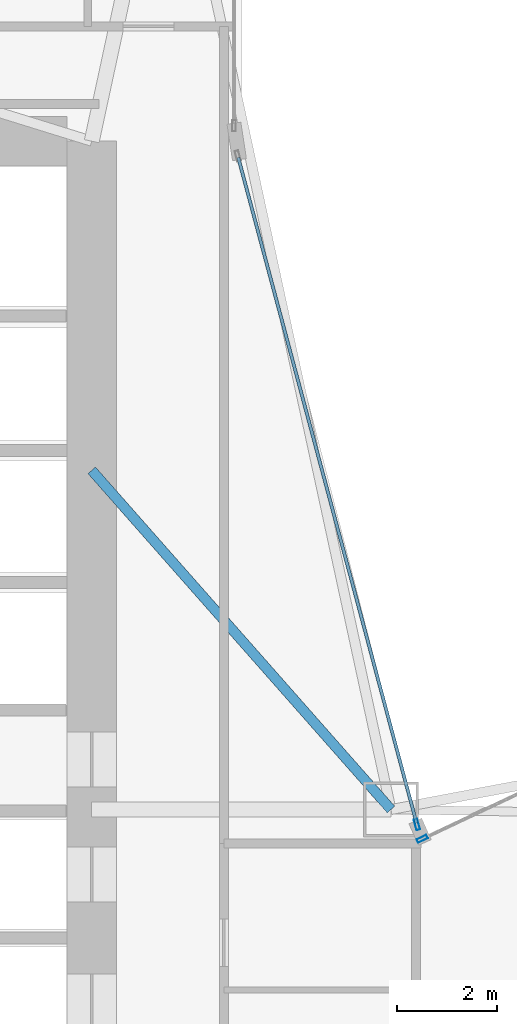
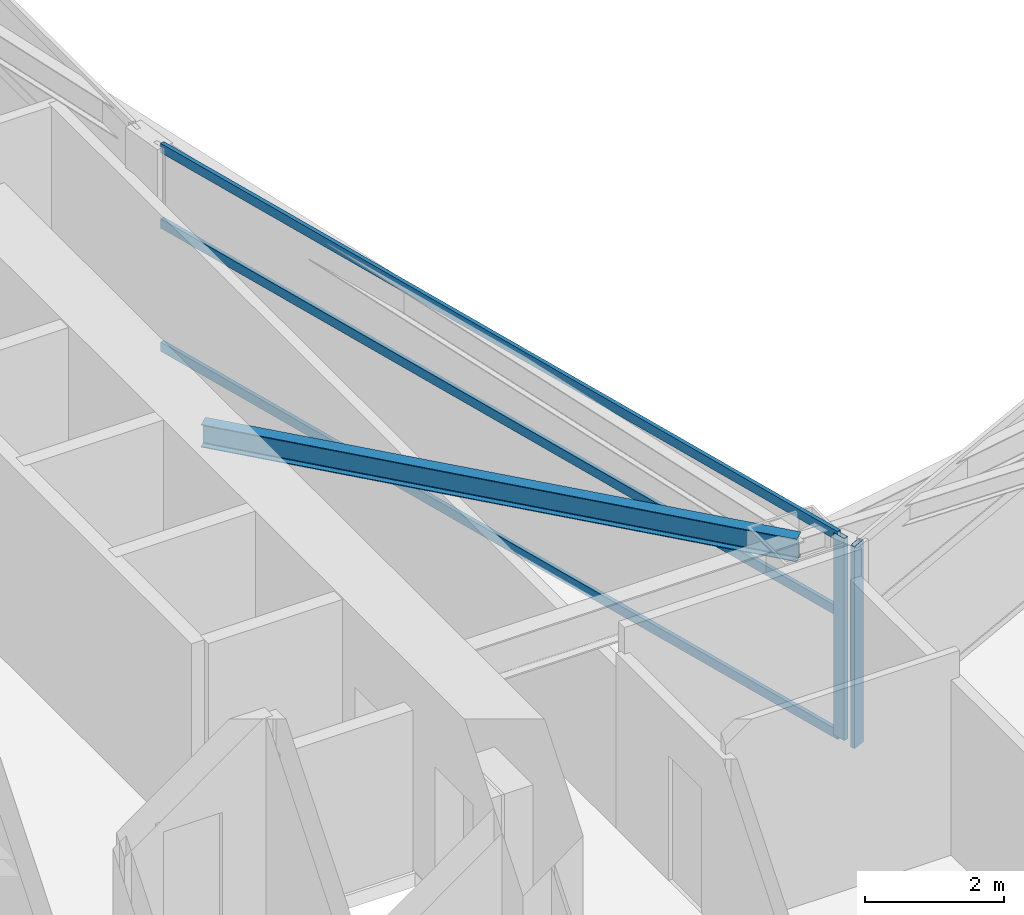
# One storey, part 10 of 29: 5 members, 1 beam, 2 elements without a shape of their own.
"""IFC4 building model written with IfcOpenShell, lengths in metres."""

from ifc_helpers import new_model, si_unit, direction, frame, origin, origin_2d, place, context, subcontext, project, spatial, hollow_rectangle, i_section, extrude, material, layer, layer_set, material_profile, profile_set, type_object, element, aggregate, save


model = new_model("IFC4")

# Units and contexts
model_context = context("Model", 3, precision=1e-05, world=origin(), true_north=direction((0.0, 1.0)))
body_context = subcontext(model_context, "Body", "Model", "MODEL_VIEW")
ifc_project = project(units=[si_unit("LENGTHUNIT", "METRE"), si_unit("AREAUNIT", "SQUARE_METRE"), si_unit("VOLUMEUNIT", "CUBIC_METRE"), si_unit("PLANEANGLEUNIT", "RADIAN"), si_unit("MASSUNIT", "GRAM", prefix="KILO")], contexts=[model_context])

# Site, building, storey
site_placement = place(None, origin())
site = spatial("IfcSite", under=ifc_project, at=site_placement, CompositionType="ELEMENT")
building_placement = place(site_placement, origin())
building = spatial("IfcBuilding", under=site, at=building_placement, Name="Calvorn Quay Hotel", CompositionType="ELEMENT")
storey_placement = place(building_placement, frame((0.0, 0.0, 34.60009765625)))
storey = spatial("IfcBuildingStorey", under=building, at=storey_placement, Name="L07", CompositionType="ELEMENT", Elevation=34.60009765625)

# Beam
ifc_material_1 = material(Name="Steel Q355B", Category="steel")
ifc_material_profile_1 = material_profile(ifc_material_1, i_section(OverallWidth=0.199951171875, OverallDepth=0.39990234375, WebThickness=0.008056640625, FlangeThickness=0.012939453125, FilletRadius=0.01611328125, at=origin_2d()), Name="HN400x200x8x13")
ifc_profile_set_1 = profile_set([ifc_material_profile_1], Name="Steel Q355B")
beam_type = type_object("IfcBeamType", Name="BM-JOIST-TYP", PredefinedType="JOIST", material=ifc_profile_set_1)
beam_placement = place(storey_placement, frame((15.0, 31.800048828125, 3.33984375), z_axis=(0.661618965899, -0.749840212287, 0.0), x_axis=(0.749840212287, 0.661618965899, 0.0)))
element("IfcBeam", 1, at=beam_placement, inside=storey, type_object=beam_type, Name="Beam BJ-L07-C1", PredefinedType="JOIST", context=body_context, shape_type="SweptSolid", body=[
    extrude(i_section(OverallWidth=0.199951171875, OverallDepth=0.39990234375, WebThickness=0.008056640625, FlangeThickness=0.012939453125, FilletRadius=0.01611328125, at=origin_2d()), origin(), (0.0, 0.0, 1.0), 9.068603515625),
])

# Curtain wall, member
ifc_material_2 = material(Name="Pale Anodised Aluminium and Low-E Glass", Category="aluminium")
ifc_layer = layer(ifc_material_2, 0.219970703125)
ifc_layer_set = layer_set([ifc_layer], Name="CW-SYS-Z1")
curtain_wall_type = type_object("IfcCurtainWallType", Name="CW-SYS-Z1", PredefinedType="NOTDEFINED", material=ifc_layer_set)
curtain_wall_1_placement = place(storey_placement, origin())
curtain_wall_1 = element("IfcCurtainWall", 2, at=curtain_wall_1_placement, inside=storey, type_object=curtain_wall_type, Name="Inner Court Curtain Wall L07-NE1", PredefinedType="NOTDEFINED")
ifc_material_3 = material(Name="Pale Anodised Aluminium 6063-T6", Category="aluminium")
ifc_material_profile_2 = material_profile(ifc_material_3, hollow_rectangle(XDim=0.074951171875, YDim=0.219970703125, WallThickness=0.00439453125, at=origin_2d()), Name="ALU-M220x75x4.5")
ifc_profile_set_2 = profile_set([ifc_material_profile_2], Name="Pale Anodised Aluminium 6063-T6")
member_type_1 = type_object("IfcMemberType", Name="CW-SYS-Z1-MUL", PredefinedType="MULLION", material=ifc_profile_set_2)
member_1_placement = place(storey_placement, frame((21.627197265625, 24.412841796875, 0.0), z_axis=(0.0, 0.0, 1.0), x_axis=(0.427006305415, -0.904248646743, 0.0)))
member_1 = element("IfcMember", 3, at=member_1_placement, type_object=member_type_1, Name="CW-L07-NE1 mullion 4", PredefinedType="MULLION", context=body_context, shape_type="SweptSolid", body=[
    extrude(hollow_rectangle(XDim=0.074951171875, YDim=0.219970703125, WallThickness=0.00439453125, at=origin_2d()), origin(), (0.0, 0.0, 1.0), 3.559814453125),
])
aggregate(curtain_wall_1, [member_1])

# Curtain wall, members
curtain_wall_2_placement = place(storey_placement, origin())
curtain_wall_2 = element("IfcCurtainWall", 4, at=curtain_wall_2_placement, inside=storey, type_object=curtain_wall_type, Name="Inner Court Curtain Wall L07-IC1", PredefinedType="NOTDEFINED")
member_2_placement = place(storey_placement, frame((21.520263671875, 24.698974609375, 0.0), z_axis=(0.0, 0.0, 1.0), x_axis=(-0.96593652056, -0.25877913024, 0.0)))
member_2 = element("IfcMember", 5, at=member_2_placement, type_object=member_type_1, Name="CW-L07-IC1 mullion 1", PredefinedType="MULLION", context=body_context, shape_type="SweptSolid", body=[
    extrude(hollow_rectangle(XDim=0.074951171875, YDim=0.219970703125, WallThickness=0.00439453125, at=origin_2d()), origin(), (0.0, 0.0, 1.0), 3.559814453125),
])
ifc_material_4 = material(Name="Pale Anodised Aluminium 6063-T6", Category="aluminium")
ifc_material_profile_3 = material_profile(ifc_material_4, hollow_rectangle(XDim=0.06494140625, YDim=0.1650390625, WallThickness=0.00341796875, at=origin_2d()), Name="ALU-T165x65x3.5")
ifc_profile_set_3 = profile_set([ifc_material_profile_3], Name="Pale Anodised Aluminium 6063-T6")
member_type_2 = type_object("IfcMemberType", Name="CW-SYS-Z1-TRN", PredefinedType="USERDEFINED", material=ifc_profile_set_3)
member_3_placement = place(storey_placement, frame((21.512451171875, 24.72802734375, 0.02978515625), z_axis=(-0.258781136883, 0.965935982969, 0.0), x_axis=(-0.965935982969, -0.258781136883, 0.0)))
member_3 = element("IfcMember", 6, at=member_3_placement, type_object=member_type_2, Name="CW-L07-IC1 transom 1.1", ObjectType="TRANSOM", PredefinedType="USERDEFINED", context=body_context, shape_type="SweptSolid", body=[
    extrude(hollow_rectangle(XDim=0.06494140625, YDim=0.1650390625, WallThickness=0.00341796875, at=origin_2d()), origin(), (0.0, 0.0, 1.0), 13.814453125),
])
member_4_placement = place(storey_placement, frame((21.512451171875, 24.72802734375, 2.199951171875), z_axis=(-0.258781136883, 0.965935982969, 0.0), x_axis=(-0.965935982969, -0.258781136883, 0.0)))
member_4 = element("IfcMember", 7, at=member_4_placement, type_object=member_type_2, Name="CW-L07-IC1 transom 1.2", ObjectType="TRANSOM", PredefinedType="USERDEFINED", context=body_context, shape_type="SweptSolid", body=[
    extrude(hollow_rectangle(XDim=0.06494140625, YDim=0.1650390625, WallThickness=0.00341796875, at=origin_2d()), origin(), (0.0, 0.0, 1.0), 13.814453125),
])
member_5_placement = place(storey_placement, frame((21.512451171875, 24.72802734375, 3.52978515625), z_axis=(-0.258781136883, 0.965935982969, 0.0), x_axis=(-0.965935982969, -0.258781136883, 0.0)))
member_5 = element("IfcMember", 8, at=member_5_placement, type_object=member_type_2, Name="CW-L07-IC1 transom 1.3", ObjectType="TRANSOM", PredefinedType="USERDEFINED", context=body_context, shape_type="SweptSolid", body=[
    extrude(hollow_rectangle(XDim=0.06494140625, YDim=0.1650390625, WallThickness=0.00341796875, at=origin_2d()), origin(), (0.0, 0.0, 1.0), 13.814453125),
])
aggregate(curtain_wall_2, [member_2, member_3, member_4, member_5])

save(model, "model.ifc")
